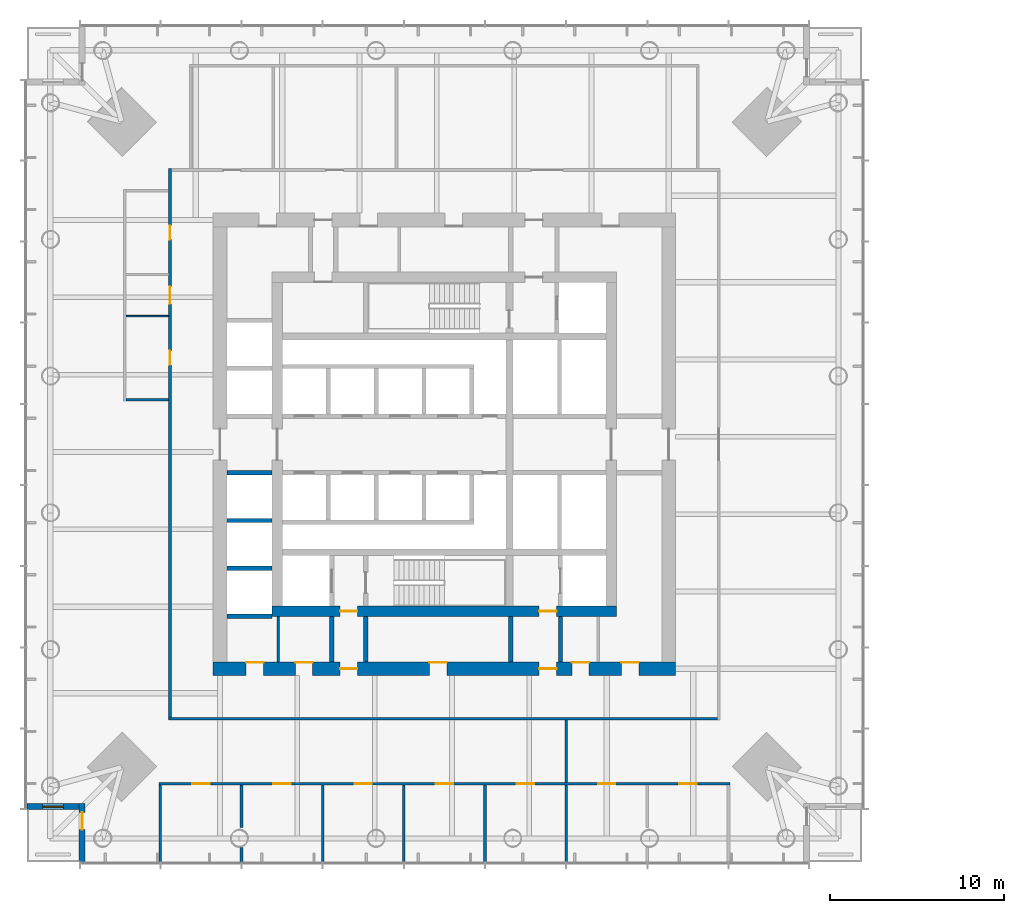
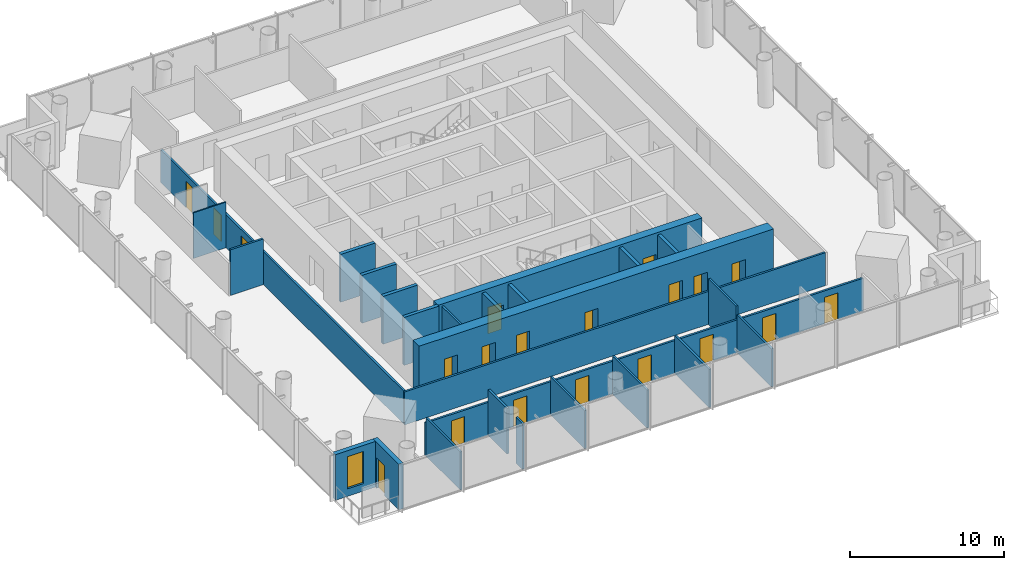
# One storey, part 9 of 22: 26 walls, 20 doors, 1 window, 21 openings.
"""IFC4 building model written with IfcOpenShell, lengths in metres."""

from ifc_helpers import new_model, si_unit, direction, frame, frame_2d, origin, place, context, subcontext, project, spatial, rectangle, extrude, material, layer, layer_set, type_object, element, fill, save


model = new_model("IFC4")

# Units and contexts
model_context = context("Model", 3, precision=1e-05, world=origin(), true_north=direction((0.0, 1.0)))
body_context = subcontext(model_context, "Body", "Model", "MODEL_VIEW")
ifc_project = project(units=[si_unit("LENGTHUNIT", "METRE"), si_unit("AREAUNIT", "SQUARE_METRE"), si_unit("VOLUMEUNIT", "CUBIC_METRE"), si_unit("PLANEANGLEUNIT", "RADIAN"), si_unit("MASSUNIT", "GRAM", prefix="KILO")], contexts=[model_context])

# Site, building, storey
site_placement = place(None, origin())
site = spatial("IfcSite", under=ifc_project, at=site_placement, CompositionType="ELEMENT")
building_placement = place(site_placement, origin())
building = spatial("IfcBuilding", under=site, at=building_placement, Name="Ostroluk Exchange", CompositionType="ELEMENT")
storey_placement = place(building_placement, frame((0.0, 0.0, 62.800048828125)))
storey = spatial("IfcBuildingStorey", under=building, at=storey_placement, Name="L15", CompositionType="ELEMENT", Elevation=62.800048828125)

# Walls
ifc_material_1 = material(Name="Concrete blockwork", Category="masonry")
ifc_layer_1 = layer(ifc_material_1, 0.10009765625)
ifc_layer_set_1 = layer_set([ifc_layer_1], Name="Blockwork WC wall 100")
wall_type_1 = type_object("IfcWallType", Name="Blockwork WC wall 100", PredefinedType="SOLIDWALL", material=ifc_layer_set_1)
wall_1_placement = place(storey_placement, frame((29.14990234375, 53.375, 0.0), z_axis=(0.0, 0.0, 1.0), x_axis=(-1.0, 0.0, 0.0)))
element("IfcWall", 1, at=wall_1_placement, inside=storey, type_object=wall_type_1, Name="Blockwork WC wall", PredefinedType="SOLIDWALL", context=body_context, shape_type="SweptSolid", body=[
    extrude(rectangle(XDim=2.449951171875, YDim=0.10009765625, at=frame_2d((1.22509765625, 0.0))), origin(), (0.0, 0.0, 1.0), 3.619873046875),
])
ifc_material_2 = material(Name="Concrete blockwork", Category="masonry")
ifc_layer_2 = layer(ifc_material_2, 0.14990234375)
ifc_layer_set_2 = layer_set([ifc_layer_2], Name="Blockwork plant room wall 150")
wall_type_2 = type_object("IfcWallType", Name="Blockwork plant room wall 150", PredefinedType="SOLIDWALL", material=ifc_layer_set_2)
wall_2_placement = place(storey_placement, frame((35.449951171875, 33.5, 0.0), z_axis=(0.0, 0.0, 1.0), x_axis=(0.0, 1.0, 0.0)))
element("IfcWall", 2, at=wall_2_placement, inside=storey, type_object=wall_type_2, Name="Core room wall", PredefinedType="SOLIDWALL", context=body_context, shape_type="SweptSolid", body=[
    extrude(rectangle(XDim=2.60009765625, YDim=0.14990234375, at=frame_2d((1.300048828125, 0.0))), origin(), (0.0, 0.0, 1.0), 3.619873046875),
])
ifc_material_3 = material(Name="Concrete blockwork", Category="masonry")
ifc_layer_3 = layer(ifc_material_3, 0.25)
ifc_layer_set_3 = layer_set([ifc_layer_3], Name="Blockwork stair enclosure wall 250")
wall_type_3 = type_object("IfcWallType", Name="Blockwork stair enclosure wall 250", PredefinedType="SOLIDWALL", material=ifc_layer_set_3)
for number, where, z_axis, x_axis, name in (
    (3, (38.52490234375, 33.5, 0.0), (0.0, 0.0, 1.0), (0.0, 1.0, 0.0), "Fire lobby enclosure wall"),
    (4, (40.47509765625, 33.5, 0.0), (0.0, 0.0, 1.0), (0.0, 1.0, 0.0), "Fire lobby enclosure wall"),
    (5, (48.804931640625, 33.5, 0.0), (0.0, 0.0, 1.0), (0.0, 1.0, 0.0), "Service lobby enclosure wall"),
    (6, (51.675048828125, 33.5, 0.0), (0.0, 0.0, 1.0), (0.0, 1.0, 0.0), "Service lobby enclosure wall"),
):
    element("IfcWall", number, at=place(storey_placement, frame(where, z_axis=z_axis, x_axis=x_axis)), inside=storey, type_object=wall_type_3, Name=name, PredefinedType="SOLIDWALL", context=body_context, shape_type="SweptSolid", body=[
        extrude(rectangle(XDim=2.60009765625, YDim=0.25, at=frame_2d((1.300048828125, 0.0))), origin(), (0.0, 0.0, 1.0), 3.619873046875),
    ])
ifc_material_4 = material(Name="Concrete C40/50", Category="concrete")
ifc_layer_4 = layer(ifc_material_4, 0.25)
ifc_layer_set_4 = layer_set([ifc_layer_4], Name="Core shaft wall 250")
wall_type_4 = type_object("IfcWallType", Name="Core shaft wall 250", PredefinedType="SHEAR", material=ifc_layer_set_4)
for number, where, z_axis, x_axis, name in (
    (7, (32.5, 36.125, 0.0), (0.0, 0.0, 1.0), (1.0, 0.0, 0.0), "Lift shaft wall"),
    (8, (32.5, 38.875, 0.0), (0.0, 0.0, 1.0), (1.0, 0.0, 0.0), "Lift shaft wall"),
    (9, (32.5, 41.625, 0.0), (0.0, 0.0, 1.0), (1.0, 0.0, 0.0), "Lift shaft wall"),
    (10, (32.5, 44.375, 0.0), (0.0, 0.0, 1.0), (1.0, 0.0, 0.0), "Lift shaft wall"),
):
    element("IfcWall", number, at=place(storey_placement, frame(where, z_axis=z_axis, x_axis=x_axis)), inside=storey, type_object=wall_type_4, Name=name, PredefinedType="SHEAR", context=body_context, shape_type="SweptSolid", body=[
        extrude(rectangle(XDim=2.60009765625, YDim=0.25, at=frame_2d((1.300048828125, 0.0))), origin(), (0.0, 0.0, 1.0), 3.800048828125),
    ])

# Wall, openings, doors
ifc_material_5 = material(Name="Concrete C50/60", Category="concrete")
ifc_layer_5 = layer(ifc_material_5, 0.60009765625)
ifc_layer_set_5 = layer_set([ifc_layer_5], Name="Core wall 600 C50/60")
wall_type_5 = type_object("IfcWallType", Name="Core wall 600 C50/60", PredefinedType="SHEAR", material=ifc_layer_set_5)
wall_3_placement = place(storey_placement, frame((35.10009765625, 36.39990234375, 0.0), z_axis=(0.0, 0.0, 1.0), x_axis=(1.0, 0.0, 0.0)))
wall_3 = element("IfcWall", 11, at=wall_3_placement, inside=storey, type_object=wall_type_5, Name="T1 core wall S", PredefinedType="SHEAR", context=body_context, shape_type="SweptSolid", body=[
    extrude(rectangle(XDim=19.7998046875, YDim=0.60009765625, at=frame_2d((9.89990234375, 0.0))), origin(), (0.0, 0.0, 1.0), 3.800048828125),
])
opening_1_placement = place(wall_3_placement, frame((3.89990234375, 0.0, 0.0)))
opening_1 = element("IfcOpeningElement", 12, at=opening_1_placement, cuts=wall_3, Name="Opening FD60", PredefinedType="OPENING", context=body_context, shape_type="SweptSolid", body=[
    extrude(rectangle(XDim=1.0, YDim=2.10009765625, at=frame_2d((0.5, 1.050048828125))), frame((0.0, 0.31005859375, 0.0), z_axis=(0.0, -1.0, 0.0), x_axis=(1.0, 0.0, 0.0)), (0.0, 0.0, 1.0), 0.6201171875),
])
opening_2_placement = place(wall_3_placement, frame((15.35009765625, 0.0, 0.0)))
opening_2 = element("IfcOpeningElement", 13, at=opening_2_placement, cuts=wall_3, Name="Opening FD60", PredefinedType="OPENING", context=body_context, shape_type="SweptSolid", body=[
    extrude(rectangle(XDim=1.0, YDim=2.10009765625, at=frame_2d((0.5, 1.050048828125))), frame((0.0, 0.31005859375, 0.0), z_axis=(0.0, -1.0, 0.0), x_axis=(1.0, 0.0, 0.0)), (0.0, 0.0, 1.0), 0.6201171875),
])
ifc_material_6 = material(Name="Steel", Category="steel")
door_type_1 = type_object("IfcDoorType", Name="Fire door EI 60 1000 x 2100", OperationType="SINGLE_SWING_LEFT", PredefinedType="DOOR", material=ifc_material_6)
door_1_placement = place(opening_1_placement, origin())
door_1 = element("IfcDoor", 14, at=door_1_placement, inside=storey, type_object=door_type_1, Name="Firefighting lobby door", OperationType="SINGLE_SWING_LEFT", OverallHeight=2.10009765625, OverallWidth=1.0, PredefinedType="DOOR", context=body_context, shape_type="SweptSolid", body=[
    extrude(rectangle(XDim=1.0, YDim=2.10009765625, at=frame_2d((0.5, 1.050048828125))), frame((0.0, 0.02490234375, 0.0), z_axis=(0.0, -1.0, 0.0), x_axis=(1.0, 0.0, 0.0)), (0.0, 0.0, 1.0), 0.050048828125),
])
fill(opening_1, door_1)
door_2_placement = place(opening_2_placement, origin())
door_2 = element("IfcDoor", 15, at=door_2_placement, inside=storey, type_object=door_type_1, Name="Service lobby door", OperationType="SINGLE_SWING_RIGHT", OverallHeight=2.10009765625, OverallWidth=1.0, PredefinedType="DOOR", context=body_context, shape_type="SweptSolid", body=[
    extrude(rectangle(XDim=1.0, YDim=2.10009765625, at=frame_2d((0.5, 1.050048828125))), frame((0.0, 0.02490234375, 0.0), z_axis=(0.0, -1.0, 0.0), x_axis=(1.0, 0.0, 0.0)), (0.0, 0.0, 1.0), 0.050048828125),
])
fill(opening_2, door_2)

ifc_material_7 = material(Name="Concrete C50/60", Category="concrete")
ifc_layer_6 = layer(ifc_material_7, 0.800048828125)
ifc_layer_set_6 = layer_set([ifc_layer_6], Name="Core wall 800 C50/60")
wall_type_6 = type_object("IfcWallType", Name="Core wall 800 C50/60", PredefinedType="SHEAR", material=ifc_layer_set_6)
wall_4_placement = place(storey_placement, frame((31.699951171875, 33.10009765625, 0.0), z_axis=(0.0, 0.0, 1.0), x_axis=(1.0, 0.0, 0.0)))
wall_4 = element("IfcWall", 16, at=wall_4_placement, inside=storey, type_object=wall_type_6, Name="T1 core wall RS", PredefinedType="SHEAR", context=body_context, shape_type="SweptSolid", body=[
    extrude(rectangle(XDim=26.60009765625, YDim=0.800048828125, at=frame_2d((13.300048828125, 0.0))), origin(), (0.0, 0.0, 1.0), 3.800048828125),
])
opening_3_placement = place(wall_4_placement, frame((7.300048828125, 0.0, 0.0)))
opening_3 = element("IfcOpeningElement", 17, at=opening_3_placement, cuts=wall_4, Name="Opening FD60", PredefinedType="OPENING", context=body_context, shape_type="SweptSolid", body=[
    extrude(rectangle(XDim=1.0, YDim=2.10009765625, at=frame_2d((0.5, 1.050048828125))), frame((0.0, 0.409912109375, 0.0), z_axis=(0.0, -1.0, 0.0), x_axis=(1.0, 0.0, 0.0)), (0.0, 0.0, 1.0), 0.820068359375),
])
opening_4_placement = place(wall_4_placement, frame((18.75, 0.0, 0.0)))
opening_4 = element("IfcOpeningElement", 18, at=opening_4_placement, cuts=wall_4, Name="Opening FD60", PredefinedType="OPENING", context=body_context, shape_type="SweptSolid", body=[
    extrude(rectangle(XDim=1.0, YDim=2.10009765625, at=frame_2d((0.5, 1.050048828125))), frame((0.0, 0.409912109375, 0.0), z_axis=(0.0, -1.0, 0.0), x_axis=(1.0, 0.0, 0.0)), (0.0, 0.0, 1.0), 0.820068359375),
])
opening_5_placement = place(wall_4_placement, frame((1.89990234375, 0.0, 0.0)))
opening_5 = element("IfcOpeningElement", 19, at=opening_5_placement, cuts=wall_4, Name="Opening FD60", PredefinedType="OPENING", context=body_context, shape_type="SweptSolid", body=[
    extrude(rectangle(XDim=1.0, YDim=2.10009765625, at=frame_2d((0.5, 1.050048828125))), frame((0.0, 0.409912109375, 0.0), z_axis=(0.0, -1.0, 0.0), x_axis=(1.0, 0.0, 0.0)), (0.0, 0.0, 1.0), 0.820068359375),
])
opening_6_placement = place(wall_4_placement, frame((4.72509765625, 0.0, 0.0)))
opening_6 = element("IfcOpeningElement", 20, at=opening_6_placement, cuts=wall_4, Name="Opening FD60", PredefinedType="OPENING", context=body_context, shape_type="SweptSolid", body=[
    extrude(rectangle(XDim=1.0, YDim=2.10009765625, at=frame_2d((0.5, 1.050048828125))), frame((0.0, 0.409912109375, 0.0), z_axis=(0.0, -1.0, 0.0), x_axis=(1.0, 0.0, 0.0)), (0.0, 0.0, 1.0), 0.820068359375),
])
opening_7_placement = place(wall_4_placement, frame((12.43994140625, 0.0, 0.0)))
opening_7 = element("IfcOpeningElement", 21, at=opening_7_placement, cuts=wall_4, Name="Opening FD60", PredefinedType="OPENING", context=body_context, shape_type="SweptSolid", body=[
    extrude(rectangle(XDim=1.0, YDim=2.10009765625, at=frame_2d((0.5, 1.050048828125))), frame((0.0, 0.409912109375, 0.0), z_axis=(0.0, -1.0, 0.0), x_axis=(1.0, 0.0, 0.0)), (0.0, 0.0, 1.0), 0.820068359375),
])
opening_8_placement = place(wall_4_placement, frame((20.6259765625, 0.0, 0.0)))
opening_8 = element("IfcOpeningElement", 22, at=opening_8_placement, cuts=wall_4, Name="Opening FD60", PredefinedType="OPENING", context=body_context, shape_type="SweptSolid", body=[
    extrude(rectangle(XDim=1.0, YDim=2.10009765625, at=frame_2d((0.5, 1.050048828125))), frame((0.0, 0.409912109375, 0.0), z_axis=(0.0, -1.0, 0.0), x_axis=(1.0, 0.0, 0.0)), (0.0, 0.0, 1.0), 0.820068359375),
])
opening_9_placement = place(wall_4_placement, frame((23.47607421875, 0.0, 0.0)))
opening_9 = element("IfcOpeningElement", 23, at=opening_9_placement, cuts=wall_4, Name="Opening FD60", PredefinedType="OPENING", context=body_context, shape_type="SweptSolid", body=[
    extrude(rectangle(XDim=1.0, YDim=2.10009765625, at=frame_2d((0.5, 1.050048828125))), frame((0.0, 0.409912109375, 0.0), z_axis=(0.0, -1.0, 0.0), x_axis=(1.0, 0.0, 0.0)), (0.0, 0.0, 1.0), 0.820068359375),
])
door_3_placement = place(opening_3_placement, origin())
door_3 = element("IfcDoor", 24, at=door_3_placement, inside=storey, type_object=door_type_1, Name="Firefighting lobby door", OperationType="SINGLE_SWING_LEFT", OverallHeight=2.10009765625, OverallWidth=1.0, PredefinedType="DOOR", context=body_context, shape_type="SweptSolid", body=[
    extrude(rectangle(XDim=1.0, YDim=2.10009765625, at=frame_2d((0.5, 1.050048828125))), frame((0.0, 0.02490234375, 0.0), z_axis=(0.0, -1.0, 0.0), x_axis=(1.0, 0.0, 0.0)), (0.0, 0.0, 1.0), 0.050048828125),
])
fill(opening_3, door_3)
door_4_placement = place(opening_4_placement, origin())
door_4 = element("IfcDoor", 25, at=door_4_placement, inside=storey, type_object=door_type_1, Name="Service lobby door", OperationType="SINGLE_SWING_RIGHT", OverallHeight=2.10009765625, OverallWidth=1.0, PredefinedType="DOOR", context=body_context, shape_type="SweptSolid", body=[
    extrude(rectangle(XDim=1.0, YDim=2.10009765625, at=frame_2d((0.5, 1.050048828125))), frame((0.0, 0.02490234375, 0.0), z_axis=(0.0, -1.0, 0.0), x_axis=(1.0, 0.0, 0.0)), (0.0, 0.0, 1.0), 0.050048828125),
])
fill(opening_4, door_4)
door_5_placement = place(opening_5_placement, origin())
door_5 = element("IfcDoor", 26, at=door_5_placement, inside=storey, type_object=door_type_1, Name="Archive door", OperationType="SINGLE_SWING_LEFT", OverallHeight=2.10009765625, OverallWidth=1.0, PredefinedType="DOOR", context=body_context, shape_type="SweptSolid", body=[
    extrude(rectangle(XDim=1.0, YDim=2.10009765625, at=frame_2d((0.5, 1.050048828125))), frame((0.0, 0.39013671875, 0.0), z_axis=(0.0, -1.0, 0.0), x_axis=(1.0, 0.0, 0.0)), (0.0, 0.0, 1.0), 0.050048828125),
])
fill(opening_5, door_5)
door_6_placement = place(opening_6_placement, origin())
door_6 = element("IfcDoor", 27, at=door_6_placement, inside=storey, type_object=door_type_1, Name="Tenant IT room door", OperationType="SINGLE_SWING_LEFT", OverallHeight=2.10009765625, OverallWidth=1.0, PredefinedType="DOOR", context=body_context, shape_type="SweptSolid", body=[
    extrude(rectangle(XDim=1.0, YDim=2.10009765625, at=frame_2d((0.5, 1.050048828125))), frame((0.0, 0.39013671875, 0.0), z_axis=(0.0, -1.0, 0.0), x_axis=(1.0, 0.0, 0.0)), (0.0, 0.0, 1.0), 0.050048828125),
])
fill(opening_6, door_6)
door_7_placement = place(opening_7_placement, origin())
door_7 = element("IfcDoor", 28, at=door_7_placement, inside=storey, type_object=door_type_1, Name="Tea point door", OperationType="SINGLE_SWING_LEFT", OverallHeight=2.10009765625, OverallWidth=1.0, PredefinedType="DOOR", context=body_context, shape_type="SweptSolid", body=[
    extrude(rectangle(XDim=1.0, YDim=2.10009765625, at=frame_2d((0.5, 1.050048828125))), frame((0.0, 0.39013671875, 0.0), z_axis=(0.0, -1.0, 0.0), x_axis=(1.0, 0.0, 0.0)), (0.0, 0.0, 1.0), 0.050048828125),
])
fill(opening_7, door_7)
door_8_placement = place(opening_8_placement, origin())
door_8 = element("IfcDoor", 29, at=door_8_placement, inside=storey, type_object=door_type_1, Name="Cleaner's store door", OperationType="SINGLE_SWING_RIGHT", OverallHeight=2.10009765625, OverallWidth=1.0, PredefinedType="DOOR", context=body_context, shape_type="SweptSolid", body=[
    extrude(rectangle(XDim=1.0, YDim=2.10009765625, at=frame_2d((0.5, 1.050048828125))), frame((0.0, 0.39013671875, 0.0), z_axis=(0.0, -1.0, 0.0), x_axis=(1.0, 0.0, 0.0)), (0.0, 0.0, 1.0), 0.050048828125),
])
fill(opening_8, door_8)
door_9_placement = place(opening_9_placement, origin())
door_9 = element("IfcDoor", 30, at=door_9_placement, inside=storey, type_object=door_type_1, Name="First aid room door", OperationType="SINGLE_SWING_RIGHT", OverallHeight=2.10009765625, OverallWidth=1.0, PredefinedType="DOOR", context=body_context, shape_type="SweptSolid", body=[
    extrude(rectangle(XDim=1.0, YDim=2.10009765625, at=frame_2d((0.5, 1.050048828125))), frame((0.0, 0.39013671875, 0.0), z_axis=(0.0, -1.0, 0.0), x_axis=(1.0, 0.0, 0.0)), (0.0, 0.0, 1.0), 0.050048828125),
])
fill(opening_9, door_9)

# Wall, opening, door
ifc_material_8 = material(Name="Limestone", Category="masonry")
ifc_layer_7 = layer(ifc_material_8, 0.35009765625)
ifc_layer_set_7 = layer_set([ifc_layer_7], Name="Limestone facade wall 350")
wall_type_7 = type_object("IfcWallType", Name="Limestone facade wall 350", PredefinedType="SOLIDWALL", material=ifc_layer_set_7)
wall_5_placement = place(storey_placement, frame((24.175048828125, 22.0, 0.0), z_axis=(0.0, 0.0, 1.0), x_axis=(0.0, 1.0, 0.0)))
wall_5 = element("IfcWall", 31, at=wall_5_placement, inside=storey, type_object=wall_type_7, Name="Office tower SW corner wall L15 a", PredefinedType="SOLIDWALL", context=body_context, shape_type="SweptSolid", body=[
    extrude(rectangle(XDim=3.35009765625, YDim=0.35009765625, at=frame_2d((1.675048828125, 0.0))), origin(), (0.0, 0.0, 1.0), 3.619873046875),
])
opening_10_placement = place(wall_5_placement, frame((1.85009765625, 0.0, 0.0)))
opening_10 = element("IfcOpeningElement", 32, at=opening_10_placement, cuts=wall_5, Name="Opening D-B1", PredefinedType="OPENING", context=body_context, shape_type="SweptSolid", body=[
    extrude(rectangle(XDim=1.0, YDim=2.39990234375, at=frame_2d((0.5, 1.199951171875))), frame((0.0, 0.18505859375, 0.0), z_axis=(0.0, -1.0, 0.0), x_axis=(1.0, 0.0, 0.0)), (0.0, 0.0, 1.0), 0.3701171875),
])
ifc_material_9 = material(Name="Bronze framed glazed door", Category="aluminium")
door_type_2 = type_object("IfcDoorType", Name="Balcony door 1000 x 2400", OperationType="SINGLE_SWING_LEFT", PredefinedType="DOOR", material=ifc_material_9)
door_10_placement = place(opening_10_placement, origin())
door_10 = element("IfcDoor", 33, at=door_10_placement, inside=storey, type_object=door_type_2, Name="Office tower SW balcony door L15", OperationType="SINGLE_SWING_RIGHT", OverallHeight=2.39990234375, OverallWidth=1.0, PredefinedType="DOOR", context=body_context, shape_type="SweptSolid", body=[
    extrude(rectangle(XDim=1.0, YDim=2.39990234375, at=frame_2d((0.5, 1.199951171875))), frame((0.0, 0.02490234375, 0.0), z_axis=(0.0, -1.0, 0.0), x_axis=(1.0, 0.0, 0.0)), (0.0, 0.0, 1.0), 0.050048828125),
])
fill(opening_10, door_10)

# Wall, opening, window
wall_6_placement = place(storey_placement, frame((24.0, 25.175048828125, 0.0), z_axis=(0.0, 0.0, 1.0), x_axis=(-1.0, 0.0, 0.0)))
wall_6 = element("IfcWall", 34, at=wall_6_placement, inside=storey, type_object=wall_type_7, Name="Office tower SW corner wall L15 b", PredefinedType="SOLIDWALL", context=body_context, shape_type="SweptSolid", body=[
    extrude(rectangle(XDim=3.0, YDim=0.35009765625, at=frame_2d((1.5, 0.0))), origin(), (0.0, 0.0, 1.0), 3.619873046875),
])
opening_11_placement = place(wall_6_placement, frame((0.89990234375, 0.0, 0.60009765625)))
opening_11 = element("IfcOpeningElement", 35, at=opening_11_placement, cuts=wall_6, Name="Opening WN-L1", PredefinedType="OPENING", context=body_context, shape_type="SweptSolid", body=[
    extrude(rectangle(XDim=1.199951171875, YDim=2.550048828125, at=frame_2d((0.60009765625, 1.27490234375))), frame((0.0, 0.18505859375, 0.0), z_axis=(0.0, -1.0, 0.0), x_axis=(1.0, 0.0, 0.0)), (0.0, 0.0, 1.0), 0.3701171875),
])
ifc_material_10 = material(Name="Laminated clear glass", Category="glass")
window_type = type_object("IfcWindowType", Name="Lancet window 1200 x 2550", PartitioningType="SINGLE_PANEL", PredefinedType="WINDOW", material=ifc_material_10)
window_placement = place(opening_11_placement, origin())
window = element("IfcWindow", 36, at=window_placement, inside=storey, type_object=window_type, Name="Office tower SW lancet window L15", OverallHeight=2.550048828125, OverallWidth=1.199951171875, PartitioningType="SINGLE_PANEL", PredefinedType="WINDOW", context=body_context, shape_type="SweptSolid", body=[
    extrude(rectangle(XDim=1.199951171875, YDim=2.550048828125, at=frame_2d((0.60009765625, 1.27490234375))), frame((0.0, 0.030029296875, 0.0), z_axis=(0.0, -1.0, 0.0), x_axis=(1.0, 0.0, 0.0)), (0.0, 0.0, 1.0), 0.06005859375),
])
fill(opening_11, window)

# Wall, openings, doors
ifc_material_11 = material(Name="Gypsum plasterboard partition", Category="gypsum")
ifc_layer_8 = layer(ifc_material_11, 0.14990234375)
ifc_layer_set_8 = layer_set([ifc_layer_8], Name="Plasterboard partition 150")
wall_type_8 = type_object("IfcWallType", Name="Plasterboard partition 150", PredefinedType="PARTITIONING", material=ifc_layer_set_8)
wall_7_placement = place(storey_placement, frame((28.591552734375, 26.5, 0.0), z_axis=(0.0, 0.0, 1.0), x_axis=(1.0, 0.0, 0.0)))
wall_7 = element("IfcWall", 37, at=wall_7_placement, inside=storey, type_object=wall_type_8, Name="Partition", PredefinedType="PARTITIONING", context=body_context, shape_type="SweptSolid", body=[
    extrude(rectangle(XDim=32.81689453125, YDim=0.14990234375, at=frame_2d((16.408447265625, 0.0))), origin(), (0.0, 0.0, 1.0), 2.612060546875),
])
opening_12_placement = place(wall_7_placement, frame((1.908447265625, 0.0, 0.0)))
opening_12 = element("IfcOpeningElement", 38, at=opening_12_placement, cuts=wall_7, Name="Opening D-03", PredefinedType="OPENING", context=body_context, shape_type="SweptSolid", body=[
    extrude(rectangle(XDim=1.0, YDim=2.10009765625, at=frame_2d((0.5, 1.050048828125))), frame((0.0, 0.0849609375, 0.0), z_axis=(0.0, -1.0, 0.0), x_axis=(1.0, 0.0, 0.0)), (0.0, 0.0, 1.0), 0.169921875),
])
opening_13_placement = place(wall_7_placement, frame((6.574951171875, 0.0, 0.0)))
opening_13 = element("IfcOpeningElement", 39, at=opening_13_placement, cuts=wall_7, Name="Opening D-03", PredefinedType="OPENING", context=body_context, shape_type="SweptSolid", body=[
    extrude(rectangle(XDim=1.0, YDim=2.10009765625, at=frame_2d((0.5, 1.050048828125))), frame((0.0, 0.0849609375, 0.0), z_axis=(0.0, -1.0, 0.0), x_axis=(1.0, 0.0, 0.0)), (0.0, 0.0, 1.0), 0.169921875),
])
opening_14_placement = place(wall_7_placement, frame((11.24169921875, 0.0, 0.0)))
opening_14 = element("IfcOpeningElement", 40, at=opening_14_placement, cuts=wall_7, Name="Opening D-03", PredefinedType="OPENING", context=body_context, shape_type="SweptSolid", body=[
    extrude(rectangle(XDim=1.0, YDim=2.10009765625, at=frame_2d((0.5, 1.050048828125))), frame((0.0, 0.0849609375, 0.0), z_axis=(0.0, -1.0, 0.0), x_axis=(1.0, 0.0, 0.0)), (0.0, 0.0, 1.0), 0.169921875),
])
opening_15_placement = place(wall_7_placement, frame((15.908447265625, 0.0, 0.0)))
opening_15 = element("IfcOpeningElement", 41, at=opening_15_placement, cuts=wall_7, Name="Opening D-03", PredefinedType="OPENING", context=body_context, shape_type="SweptSolid", body=[
    extrude(rectangle(XDim=1.0, YDim=2.10009765625, at=frame_2d((0.5, 1.050048828125))), frame((0.0, 0.0849609375, 0.0), z_axis=(0.0, -1.0, 0.0), x_axis=(1.0, 0.0, 0.0)), (0.0, 0.0, 1.0), 0.169921875),
])
opening_16_placement = place(wall_7_placement, frame((20.574951171875, 0.0, 0.0)))
opening_16 = element("IfcOpeningElement", 42, at=opening_16_placement, cuts=wall_7, Name="Opening D-03", PredefinedType="OPENING", context=body_context, shape_type="SweptSolid", body=[
    extrude(rectangle(XDim=1.0, YDim=2.10009765625, at=frame_2d((0.5, 1.050048828125))), frame((0.0, 0.0849609375, 0.0), z_axis=(0.0, -1.0, 0.0), x_axis=(1.0, 0.0, 0.0)), (0.0, 0.0, 1.0), 0.169921875),
])
opening_17_placement = place(wall_7_placement, frame((25.24169921875, 0.0, 0.0)))
opening_17 = element("IfcOpeningElement", 43, at=opening_17_placement, cuts=wall_7, Name="Opening D-03", PredefinedType="OPENING", context=body_context, shape_type="SweptSolid", body=[
    extrude(rectangle(XDim=1.0, YDim=2.10009765625, at=frame_2d((0.5, 1.050048828125))), frame((0.0, 0.0849609375, 0.0), z_axis=(0.0, -1.0, 0.0), x_axis=(1.0, 0.0, 0.0)), (0.0, 0.0, 1.0), 0.169921875),
])
opening_18_placement = place(wall_7_placement, frame((29.908447265625, 0.0, 0.0)))
opening_18 = element("IfcOpeningElement", 44, at=opening_18_placement, cuts=wall_7, Name="Opening D-03", PredefinedType="OPENING", context=body_context, shape_type="SweptSolid", body=[
    extrude(rectangle(XDim=1.0, YDim=2.10009765625, at=frame_2d((0.5, 1.050048828125))), frame((0.0, 0.0849609375, 0.0), z_axis=(0.0, -1.0, 0.0), x_axis=(1.0, 0.0, 0.0)), (0.0, 0.0, 1.0), 0.169921875),
])
ifc_material_12 = material(Name="Timber", Category="wood")
door_type_3 = type_object("IfcDoorType", Name="Internal door 1000 x 2100", OperationType="SINGLE_SWING_LEFT", PredefinedType="DOOR", material=ifc_material_12)
door_11_placement = place(opening_12_placement, origin())
door_11 = element("IfcDoor", 45, at=door_11_placement, inside=storey, type_object=door_type_3, Name="Office door", OperationType="SINGLE_SWING_LEFT", OverallHeight=2.10009765625, OverallWidth=1.0, PredefinedType="DOOR", context=body_context, shape_type="SweptSolid", body=[
    extrude(rectangle(XDim=1.0, YDim=2.10009765625, at=frame_2d((0.5, 1.050048828125))), frame((0.0, 0.02490234375, 0.0), z_axis=(0.0, -1.0, 0.0), x_axis=(1.0, 0.0, 0.0)), (0.0, 0.0, 1.0), 0.050048828125),
])
fill(opening_12, door_11)
door_12_placement = place(opening_13_placement, origin())
door_12 = element("IfcDoor", 46, at=door_12_placement, inside=storey, type_object=door_type_3, Name="Office door", OperationType="SINGLE_SWING_LEFT", OverallHeight=2.10009765625, OverallWidth=1.0, PredefinedType="DOOR", context=body_context, shape_type="SweptSolid", body=[
    extrude(rectangle(XDim=1.0, YDim=2.10009765625, at=frame_2d((0.5, 1.050048828125))), frame((0.0, 0.02490234375, 0.0), z_axis=(0.0, -1.0, 0.0), x_axis=(1.0, 0.0, 0.0)), (0.0, 0.0, 1.0), 0.050048828125),
])
fill(opening_13, door_12)
door_13_placement = place(opening_14_placement, origin())
door_13 = element("IfcDoor", 47, at=door_13_placement, inside=storey, type_object=door_type_3, Name="Office door", OperationType="SINGLE_SWING_LEFT", OverallHeight=2.10009765625, OverallWidth=1.0, PredefinedType="DOOR", context=body_context, shape_type="SweptSolid", body=[
    extrude(rectangle(XDim=1.0, YDim=2.10009765625, at=frame_2d((0.5, 1.050048828125))), frame((0.0, 0.02490234375, 0.0), z_axis=(0.0, -1.0, 0.0), x_axis=(1.0, 0.0, 0.0)), (0.0, 0.0, 1.0), 0.050048828125),
])
fill(opening_14, door_13)
door_14_placement = place(opening_15_placement, origin())
door_14 = element("IfcDoor", 48, at=door_14_placement, inside=storey, type_object=door_type_3, Name="Office door", OperationType="SINGLE_SWING_RIGHT", OverallHeight=2.10009765625, OverallWidth=1.0, PredefinedType="DOOR", context=body_context, shape_type="SweptSolid", body=[
    extrude(rectangle(XDim=1.0, YDim=2.10009765625, at=frame_2d((0.5, 1.050048828125))), frame((0.0, 0.02490234375, 0.0), z_axis=(0.0, -1.0, 0.0), x_axis=(1.0, 0.0, 0.0)), (0.0, 0.0, 1.0), 0.050048828125),
])
fill(opening_15, door_14)
door_15_placement = place(opening_16_placement, origin())
door_15 = element("IfcDoor", 49, at=door_15_placement, inside=storey, type_object=door_type_3, Name="Office door", OperationType="SINGLE_SWING_RIGHT", OverallHeight=2.10009765625, OverallWidth=1.0, PredefinedType="DOOR", context=body_context, shape_type="SweptSolid", body=[
    extrude(rectangle(XDim=1.0, YDim=2.10009765625, at=frame_2d((0.5, 1.050048828125))), frame((0.0, 0.02490234375, 0.0), z_axis=(0.0, -1.0, 0.0), x_axis=(1.0, 0.0, 0.0)), (0.0, 0.0, 1.0), 0.050048828125),
])
fill(opening_16, door_15)
door_16_placement = place(opening_17_placement, origin())
door_16 = element("IfcDoor", 50, at=door_16_placement, inside=storey, type_object=door_type_3, Name="Office door", OperationType="SINGLE_SWING_RIGHT", OverallHeight=2.10009765625, OverallWidth=1.0, PredefinedType="DOOR", context=body_context, shape_type="SweptSolid", body=[
    extrude(rectangle(XDim=1.0, YDim=2.10009765625, at=frame_2d((0.5, 1.050048828125))), frame((0.0, 0.02490234375, 0.0), z_axis=(0.0, -1.0, 0.0), x_axis=(1.0, 0.0, 0.0)), (0.0, 0.0, 1.0), 0.050048828125),
])
fill(opening_17, door_16)
door_17_placement = place(opening_18_placement, origin())
door_17 = element("IfcDoor", 51, at=door_17_placement, inside=storey, type_object=door_type_3, Name="Office door", OperationType="SINGLE_SWING_RIGHT", OverallHeight=2.10009765625, OverallWidth=1.0, PredefinedType="DOOR", context=body_context, shape_type="SweptSolid", body=[
    extrude(rectangle(XDim=1.0, YDim=2.10009765625, at=frame_2d((0.5, 1.050048828125))), frame((0.0, 0.02490234375, 0.0), z_axis=(0.0, -1.0, 0.0), x_axis=(1.0, 0.0, 0.0)), (0.0, 0.0, 1.0), 0.050048828125),
])
fill(opening_18, door_17)

# Walls
wall_8_placement = place(storey_placement, frame((28.666748046875, 26.425048828125, 0.0), z_axis=(0.0, 0.0, 1.0), x_axis=(0.0, -1.0, 0.0)))
element("IfcWall", 52, at=wall_8_placement, inside=storey, type_object=wall_type_8, Name="Partition", PredefinedType="PARTITIONING", context=body_context, shape_type="SweptSolid", body=[
    extrude(rectangle(XDim=4.465087890625, YDim=0.14990234375, at=frame_2d((2.232421875, 0.0))), origin(), (0.0, 0.0, 1.0), 3.02001953125),
])
wall_9_placement = place(storey_placement, frame((33.333251953125, 26.425048828125, 0.0), z_axis=(0.0, 0.0, 1.0), x_axis=(0.0, -1.0, 0.0)))
element("IfcWall", 53, at=wall_9_placement, inside=storey, type_object=wall_type_8, Name="Partition", PredefinedType="PARTITIONING", context=body_context, shape_type="SweptSolid", body=[
    extrude(rectangle(XDim=2.4599609375, YDim=0.14990234375, at=frame_2d((1.22998046875, 0.0))), origin(), (0.0, 0.0, 1.0), 3.619873046875),
])
wall_10_placement = place(storey_placement, frame((33.333251953125, 22.82763671875, 0.0), z_axis=(0.0, 0.0, 1.0), x_axis=(0.0, -1.0, 0.0)))
element("IfcWall", 54, at=wall_10_placement, inside=storey, type_object=wall_type_8, Name="Partition", PredefinedType="PARTITIONING", context=body_context, shape_type="SweptSolid", body=[
    extrude(rectangle(XDim=0.86767578125, YDim=0.14990234375, at=frame_2d((0.433837890625, 0.0))), origin(), (0.0, 0.0, 1.0), 3.619873046875),
])
for number, where, z_axis, x_axis, name in (
    (55, (38.0, 26.425048828125, 0.0), (0.0, 0.0, 1.0), (0.0, -1.0, 0.0), "Partition"),
    (56, (42.666748046875, 26.425048828125, 0.0), (0.0, 0.0, 1.0), (0.0, -1.0, 0.0), "Partition"),
    (57, (47.333251953125, 26.425048828125, 0.0), (0.0, 0.0, 1.0), (0.0, -1.0, 0.0), "Partition"),
    (58, (52.0, 26.425048828125, 0.0), (0.0, 0.0, 1.0), (0.0, -1.0, 0.0), "Partition"),
):
    element("IfcWall", number, at=place(storey_placement, frame(where, z_axis=z_axis, x_axis=x_axis)), inside=storey, type_object=wall_type_8, Name=name, PredefinedType="PARTITIONING", context=body_context, shape_type="SweptSolid", body=[
        extrude(rectangle(XDim=4.465087890625, YDim=0.14990234375, at=frame_2d((2.232421875, 0.0))), origin(), (0.0, 0.0, 1.0), 3.02001953125),
    ])
wall_11_placement = place(storey_placement, frame((52.0, 30.14990234375, 0.0), z_axis=(0.0, 0.0, 1.0), x_axis=(0.0, -1.0, 0.0)))
element("IfcWall", 59, at=wall_11_placement, inside=storey, type_object=wall_type_8, Name="Tenancy partition", PredefinedType="PARTITIONING", context=body_context, shape_type="SweptSolid", body=[
    extrude(rectangle(XDim=3.574951171875, YDim=0.14990234375, at=frame_2d((1.78759765625, 0.0))), origin(), (0.0, 0.0, 1.0), 3.619873046875),
])

# Wall, openings, doors
wall_12_placement = place(storey_placement, frame((29.22509765625, 61.85009765625, 0.0), z_axis=(0.0, 0.0, 1.0), x_axis=(0.0, -1.0, 0.0)))
wall_12 = element("IfcWall", 60, at=wall_12_placement, inside=storey, type_object=wall_type_8, Name="Corridor wall", PredefinedType="PARTITIONING", context=body_context, shape_type="SweptSolid", body=[
    extrude(rectangle(XDim=31.550048828125, YDim=0.14990234375, at=frame_2d((15.77490234375, 0.0))), origin(), (0.0, 0.0, 1.0), 2.612060546875),
])
opening_19_placement = place(wall_12_placement, frame((3.27490234375, 0.0, 0.0)))
opening_19 = element("IfcOpeningElement", 61, at=opening_19_placement, cuts=wall_12, Name="Opening D-06", PredefinedType="OPENING", context=body_context, shape_type="SweptSolid", body=[
    extrude(rectangle(XDim=0.800048828125, YDim=2.10009765625, at=frame_2d((0.39990234375, 1.050048828125))), frame((0.0, 0.0849609375, 0.0), z_axis=(0.0, -1.0, 0.0), x_axis=(1.0, 0.0, 0.0)), (0.0, 0.0, 1.0), 0.169921875),
])
opening_20_placement = place(wall_12_placement, frame((6.77490234375, 0.0, 0.0)))
opening_20 = element("IfcOpeningElement", 62, at=opening_20_placement, cuts=wall_12, Name="Opening D-03", PredefinedType="OPENING", context=body_context, shape_type="SweptSolid", body=[
    extrude(rectangle(XDim=1.0, YDim=2.10009765625, at=frame_2d((0.5, 1.050048828125))), frame((0.0, 0.0849609375, 0.0), z_axis=(0.0, -1.0, 0.0), x_axis=(1.0, 0.0, 0.0)), (0.0, 0.0, 1.0), 0.169921875),
])
opening_21_placement = place(wall_12_placement, frame((10.47509765625, 0.0, 0.0)))
opening_21 = element("IfcOpeningElement", 63, at=opening_21_placement, cuts=wall_12, Name="Opening D-06", PredefinedType="OPENING", context=body_context, shape_type="SweptSolid", body=[
    extrude(rectangle(XDim=0.800048828125, YDim=2.10009765625, at=frame_2d((0.39990234375, 1.050048828125))), frame((0.0, 0.0849609375, 0.0), z_axis=(0.0, -1.0, 0.0), x_axis=(1.0, 0.0, 0.0)), (0.0, 0.0, 1.0), 0.169921875),
])
door_18_placement = place(opening_20_placement, origin())
door_18 = element("IfcDoor", 64, at=door_18_placement, inside=storey, type_object=door_type_3, Name="Accessible WC door", OperationType="SINGLE_SWING_LEFT", OverallHeight=2.10009765625, OverallWidth=1.0, PredefinedType="DOOR", context=body_context, shape_type="SweptSolid", body=[
    extrude(rectangle(XDim=1.0, YDim=2.10009765625, at=frame_2d((0.5, 1.050048828125))), frame((0.0, 0.02490234375, 0.0), z_axis=(0.0, -1.0, 0.0), x_axis=(1.0, 0.0, 0.0)), (0.0, 0.0, 1.0), 0.050048828125),
])
fill(opening_20, door_18)
ifc_material_13 = material(Name="Timber", Category="wood")
door_type_4 = type_object("IfcDoorType", Name="Toilet door 800 x 2100", OperationType="SINGLE_SWING_LEFT", PredefinedType="DOOR", material=ifc_material_13)
door_19_placement = place(opening_19_placement, origin())
door_19 = element("IfcDoor", 65, at=door_19_placement, inside=storey, type_object=door_type_4, Name="WC female door", OperationType="SINGLE_SWING_LEFT", OverallHeight=2.10009765625, OverallWidth=0.800048828125, PredefinedType="DOOR", context=body_context, shape_type="SweptSolid", body=[
    extrude(rectangle(XDim=0.800048828125, YDim=2.10009765625, at=frame_2d((0.39990234375, 1.050048828125))), frame((0.0, 0.02490234375, 0.0), z_axis=(0.0, -1.0, 0.0), x_axis=(1.0, 0.0, 0.0)), (0.0, 0.0, 1.0), 0.050048828125),
])
fill(opening_19, door_19)
door_20_placement = place(opening_21_placement, origin())
door_20 = element("IfcDoor", 66, at=door_20_placement, inside=storey, type_object=door_type_4, Name="WC male door", OperationType="SINGLE_SWING_LEFT", OverallHeight=2.10009765625, OverallWidth=0.800048828125, PredefinedType="DOOR", context=body_context, shape_type="SweptSolid", body=[
    extrude(rectangle(XDim=0.800048828125, YDim=2.10009765625, at=frame_2d((0.39990234375, 1.050048828125))), frame((0.0, 0.02490234375, 0.0), z_axis=(0.0, -1.0, 0.0), x_axis=(1.0, 0.0, 0.0)), (0.0, 0.0, 1.0), 0.050048828125),
])
fill(opening_21, door_20)

# Walls
wall_13_placement = place(storey_placement, frame((29.14990234375, 30.22509765625, 0.0), z_axis=(0.0, 0.0, 1.0), x_axis=(1.0, 0.0, 0.0)))
element("IfcWall", 67, at=wall_13_placement, inside=storey, type_object=wall_type_8, Name="Corridor wall", PredefinedType="PARTITIONING", context=body_context, shape_type="SweptSolid", body=[
    extrude(rectangle(XDim=31.550048828125, YDim=0.14990234375, at=frame_2d((15.77490234375, 0.0))), origin(), (0.0, 0.0, 1.0), 2.612060546875),
])
ifc_material_14 = material(Name="Gypsum plasterboard partition, moisture resistant", Category="gypsum")
ifc_layer_9 = layer(ifc_material_14, 0.14990234375)
ifc_layer_set_9 = layer_set([ifc_layer_9], Name="Plasterboard toilet partition 150")
wall_type_9 = type_object("IfcWallType", Name="Plasterboard toilet partition 150", PredefinedType="PARTITIONING", material=ifc_layer_set_9)
wall_14_placement = place(storey_placement, frame((29.14990234375, 48.574951171875, 0.0), z_axis=(0.0, 0.0, 1.0), x_axis=(-1.0, 0.0, 0.0)))
element("IfcWall", 68, at=wall_14_placement, inside=storey, type_object=wall_type_9, Name="Toilet partition", PredefinedType="PARTITIONING", context=body_context, shape_type="SweptSolid", body=[
    extrude(rectangle(XDim=2.449951171875, YDim=0.14990234375, at=frame_2d((1.22509765625, 0.0))), origin(), (0.0, 0.0, 1.0), 3.619873046875),
])

save(model, "model.ifc")
